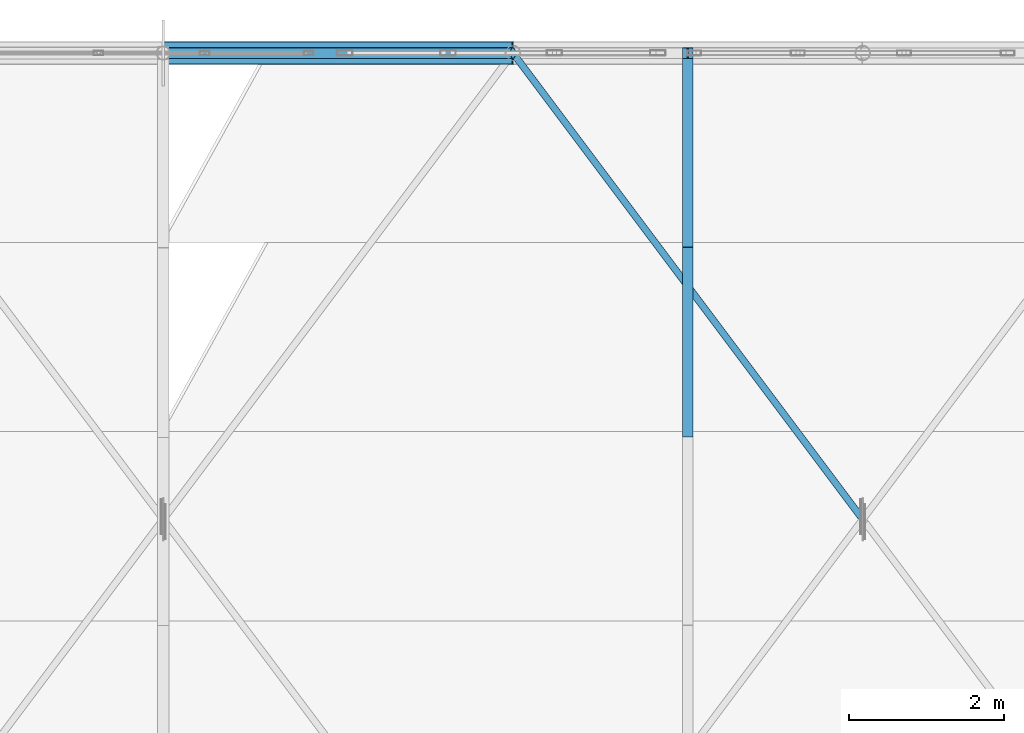
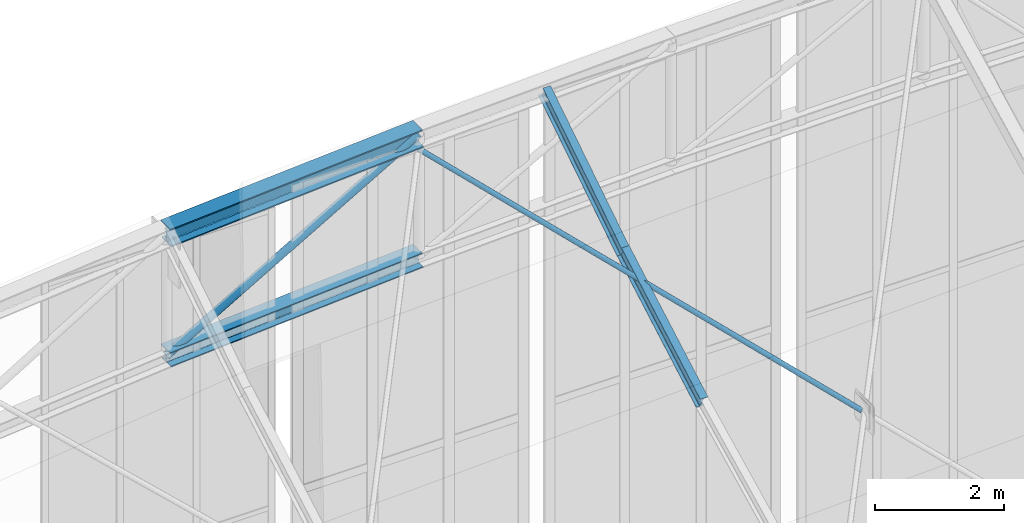
# One storey, part 189 of 262: 6 members.
"""IFC4 building model written with IfcOpenShell, lengths in metres."""

from ifc_helpers import new_model, si_unit, derived_unit, direction, frame, origin, origin_2d, place, context, subcontext, project, spatial, hollow_circle, i_section, extrude, material, material_profile, profile_set, type_object, element, save


model = new_model("IFC4")

# Units and contexts
model_context = context("Model", 3, precision=1e-05, world=origin(), true_north=direction((0.0, 1.0)))
body_context = subcontext(model_context, "Body", "Model", "MODEL_VIEW")
ifc_project = project(units=[si_unit("LENGTHUNIT", "METRE"), si_unit("AREAUNIT", "SQUARE_METRE"), si_unit("VOLUMEUNIT", "CUBIC_METRE"), si_unit("PLANEANGLEUNIT", "RADIAN"), si_unit("MASSUNIT", "GRAM", prefix="KILO"), derived_unit("THERMALTRANSMITTANCEUNIT", [(si_unit("POWERUNIT", "WATT"), 1), (si_unit("LENGTHUNIT", "METRE"), -2), (si_unit("THERMODYNAMICTEMPERATUREUNIT", "KELVIN"), -1)])], contexts=[model_context])

# Site, building, storey
site_placement = place(None, origin())
site = spatial("IfcSite", under=ifc_project, at=site_placement, CompositionType="ELEMENT")
building_placement = place(site_placement, origin())
building = spatial("IfcBuilding", under=site, at=building_placement, Name="Almenara Railside Exhibition Hall", CompositionType="ELEMENT")
storey_placement = place(building_placement, frame((0.0, 0.0, 21.699951171875)))
storey = spatial("IfcBuildingStorey", under=building, at=storey_placement, Name="RF", CompositionType="ELEMENT", Elevation=21.699951171875)

# Members
ifc_material = material(Name="Structural steel S355JR", Category="steel")
ifc_material_profile_1 = material_profile(ifc_material, i_section(OverallWidth=0.280029296875, OverallDepth=0.280029296875, WebThickness=0.010498046875, FlangeThickness=0.01806640625, FilletRadius=0.02392578125, at=origin_2d()), Name="HEB 280")
ifc_profile_set_1 = profile_set([ifc_material_profile_1], Name="Structural steel S355JR")
member_type_1 = type_object("IfcMemberType", Name="Arched Gable Bottom Chord HEB 280 S355JR", PredefinedType="CHORD", material=ifc_profile_set_1)
member_1_placement = place(storey_placement, frame((25.5, 132.0, 8.25), z_axis=(0.997701025897, 0.0, 0.067769188608), x_axis=(0.0, 1.0, 0.0)))
element("IfcMember", 1, at=member_1_placement, inside=storey, type_object=member_type_1, Name="MEM-BC-V1-07-03", PredefinedType="CHORD", context=body_context, shape_type="SweptSolid", body=[
    extrude(i_section(OverallWidth=0.280029296875, OverallDepth=0.280029296875, WebThickness=0.010498046875, FlangeThickness=0.01806640625, FilletRadius=0.02392578125, at=origin_2d()), origin(), (0.0, 0.0, 1.0), 4.51025390625),
])
ifc_material_profile_2 = material_profile(ifc_material, i_section(OverallWidth=0.300048828125, OverallDepth=0.340087890625, WebThickness=0.011962890625, FlangeThickness=0.021484375, FilletRadius=0.027099609375, at=origin_2d()), Name="HEB 340")
ifc_profile_set_2 = profile_set([ifc_material_profile_2], Name="Structural steel S355JR")
member_type_2 = type_object("IfcMemberType", Name="Arched Gable Top Chord HEB 340 S355JR", PredefinedType="CHORD", material=ifc_profile_set_2)
member_2_placement = place(storey_placement, frame((25.5, 132.0, 10.550048828125), z_axis=(0.997701025897, 0.0, 0.067769188608), x_axis=(0.0, 1.0, 0.0)))
element("IfcMember", 2, at=member_2_placement, inside=storey, type_object=member_type_2, Name="MEM-TC-V1-07-03", PredefinedType="CHORD", context=body_context, shape_type="SweptSolid", body=[
    extrude(i_section(OverallWidth=0.300048828125, OverallDepth=0.340087890625, WebThickness=0.011962890625, FlangeThickness=0.021484375, FilletRadius=0.027099609375, at=origin_2d()), origin(), (0.0, 0.0, 1.0), 4.51025390625),
])
ifc_material_profile_3 = material_profile(ifc_material, hollow_circle(Radius=0.04443359375, WallThickness=0.00390625, at=origin_2d()), Name="CHS 88.9x4")
ifc_profile_set_3 = profile_set([ifc_material_profile_3], Name="Structural steel S355JR")
member_type_3 = type_object("IfcMemberType", Name="Canopy Tie Brace CHS 88.9x4 S355JR", PredefinedType="BRACE", material=ifc_profile_set_3)
member_3_placement = place(storey_placement, frame((34.472900390625, 126.0361328125, 7.685791015625), z_axis=(-0.55943594012, 0.745914586827, 0.361445511883), x_axis=(-0.8, -0.6, 0.0)))
element("IfcMember", 3, at=member_3_placement, inside=storey, type_object=member_type_3, Name="MEM-WB-V1-WB-CHS89-06-04-S2", PredefinedType="BRACE", context=body_context, shape_type="SweptSolid", body=[
    extrude(hollow_circle(Radius=0.04443359375, WallThickness=0.00390625, at=origin_2d()), origin(), (0.0, 0.0, 1.0), 7.995361328125),
])
ifc_material_profile_4 = material_profile(ifc_material, i_section(OverallWidth=0.135009765625, OverallDepth=0.27001953125, WebThickness=0.006591796875, FlangeThickness=0.01025390625, FilletRadius=0.014892578125, at=origin_2d()), Name="IPE 270")
ifc_profile_set_4 = profile_set([ifc_material_profile_4], Name="Structural steel S355JR")
member_type_4 = type_object("IfcMemberType", Name="East Hall Standard Purlin IPE 270 S355JR", PredefinedType="PURLIN", material=ifc_profile_set_4)
member_4_placement = place(storey_placement, frame((32.25, 127.126708984375, 7.960693359375), z_axis=(0.0, 0.870483227181, 0.492198081261), x_axis=(-1.0, 0.0, 0.0)))
element("IfcMember", 4, at=member_4_placement, inside=storey, type_object=member_type_4, Name="MEM-PR-V1-PR-IPE270-03-26", PredefinedType="PURLIN", context=body_context, shape_type="SweptSolid", body=[
    extrude(i_section(OverallWidth=0.135009765625, OverallDepth=0.27001953125, WebThickness=0.006591796875, FlangeThickness=0.01025390625, FilletRadius=0.014892578125, at=origin_2d()), origin(), (0.0, 0.0, 1.0), 2.799072265625),
])
member_5_placement = place(storey_placement, frame((32.25, 129.563232421875, 9.326416015625), z_axis=(0.0, 0.842265270347, 0.53906327492), x_axis=(-1.0, 0.0, 0.0)))
element("IfcMember", 5, at=member_5_placement, inside=storey, type_object=member_type_4, Name="MEM-PR-V1-PR-IPE270-03-27", PredefinedType="PURLIN", context=body_context, shape_type="SweptSolid", body=[
    extrude(i_section(OverallWidth=0.135009765625, OverallDepth=0.27001953125, WebThickness=0.006591796875, FlangeThickness=0.01025390625, FilletRadius=0.014892578125, at=origin_2d()), origin(), (0.0, 0.0, 1.0), 2.89306640625),
])
ifc_material_profile_5 = material_profile(ifc_material, hollow_circle(Radius=0.06982421875, WallThickness=0.0048828125, at=origin_2d()), Name="CHS 139.7x5")
ifc_profile_set_5 = profile_set([ifc_material_profile_5], Name="Structural steel S355JR")
member_type_5 = type_object("IfcMemberType", Name="Truss Inner Diagonal CHS 139.7x5 S355JR", PredefinedType="BRACE", material=ifc_profile_set_5)
member_6_placement = place(storey_placement, frame((25.5, 132.0, 8.25), z_axis=(0.865388781224, 0.0, 0.501101045031), x_axis=(0.0, 1.0, 0.0)))
element("IfcMember", 6, at=member_6_placement, inside=storey, type_object=member_type_5, Name="MEM-TD-V1-07-03", PredefinedType="BRACE", context=body_context, shape_type="SweptSolid", body=[
    extrude(hollow_circle(Radius=0.06982421875, WallThickness=0.0048828125, at=origin_2d()), origin(), (0.0, 0.0, 1.0), 5.199951171875),
])

save(model, "model.ifc")
